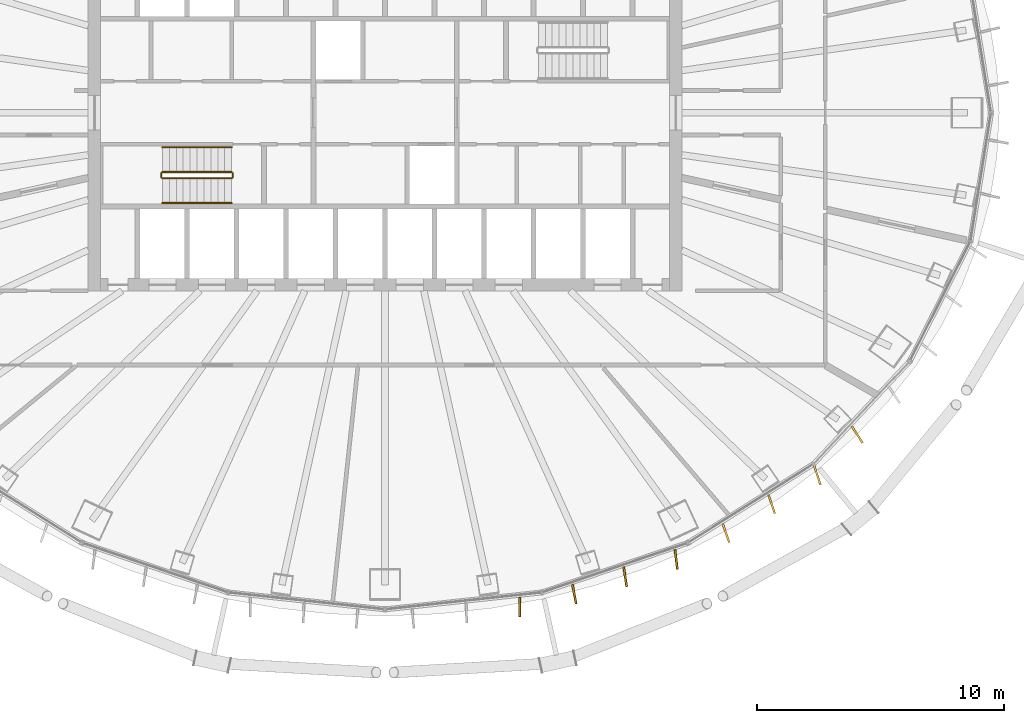
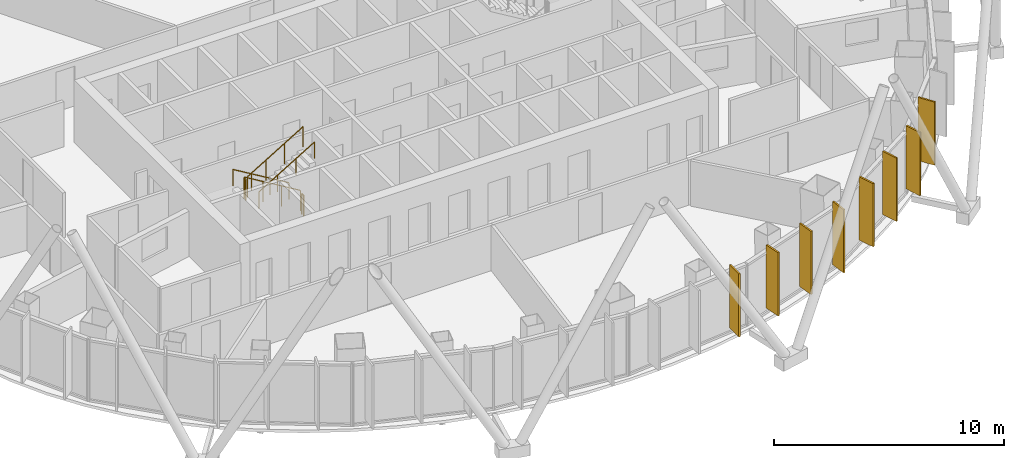
# One storey, part 16 of 18: 8 shading devices, 6 railings.
"""IFC4 building model written with IfcOpenShell, lengths in metres."""

from ifc_helpers import new_model, si_unit, direction, frame, origin, origin_2d, place, context, subcontext, project, spatial, rectangle, circle, extrude, material, layer, layer_set, type_object, element, save


model = new_model("IFC4")

# Units and contexts
model_context = context("Model", 3, precision=1e-05, world=origin(), true_north=direction((0.0, 1.0)))
body_context = subcontext(model_context, "Body", "Model", "MODEL_VIEW")
ifc_project = project(units=[si_unit("LENGTHUNIT", "METRE"), si_unit("AREAUNIT", "SQUARE_METRE"), si_unit("VOLUMEUNIT", "CUBIC_METRE"), si_unit("PLANEANGLEUNIT", "RADIAN"), si_unit("MASSUNIT", "GRAM", prefix="KILO")], contexts=[model_context])

# Site, building, storey
site_placement = place(None, origin())
site = spatial("IfcSite", under=ifc_project, at=site_placement, CompositionType="ELEMENT")
building_placement = place(site_placement, origin())
building = spatial("IfcBuilding", under=site, at=building_placement, Name="Siaravel Broadcast Tower", CompositionType="ELEMENT")
storey_placement = place(building_placement, frame((0.0, 0.0, 141.5)))
storey = spatial("IfcBuildingStorey", under=building, at=storey_placement, Name="L34", CompositionType="ELEMENT", Elevation=141.5)

# Shading devices
ifc_material_1 = material(Name="Bronze anodised aluminium", Category="aluminium")
ifc_layer = layer(ifc_material_1, 0.080078125)
ifc_layer_set = layer_set([ifc_layer], Name="Bronze anodised aluminium")
shading_device_type = type_object("IfcShadingDeviceType", Name="Bronze fin zone 2", PredefinedType="USERDEFINED", material=ifc_layer_set)
for number, where, z_axis, x_axis, name in (
    (1, (5.447509765625, -19.980712890625, 0.300048828125), (0.0, 0.0, 1.0), (0.001307251, -0.999999146, 0.0), "Bronze fin L34-51"),
    (2, (7.653076171875, -19.461181640625, 0.300048828125), (0.0, 0.0, 1.0), (0.182130842, -0.983274304, 0.0), "Bronze fin L34-52"),
    (3, (9.711181640625, -18.760498046875, 0.300048828125), (0.0, 0.0, 1.0), (0.148867461, -0.988857158, 0.0), "Bronze fin L34-53"),
    (4, (11.77197265625, -18.059326171875, 0.300048828125), (0.0, 0.0, 1.0), (0.121469168, -0.992595205, 0.0), "Bronze fin L34-54"),
    (5, (13.783935546875, -16.989990234375, 0.300048828125), (0.0, 0.0, 1.0), (0.328449608, -0.944521495, 0.0), "Bronze fin L34-55"),
    (6, (15.631103515625, -15.827880859375, 0.300048828125), (0.0, 0.0, 1.0), (0.315821266, -0.948818701, 0.0), "Bronze fin L34-56"),
    (7, (17.4814453125, -14.664306640625, 0.300048828125), (0.0, 0.0, 1.0), (0.311520719, -0.95023936, 0.0), "Bronze fin L34-57"),
    (8, (19.0908203125, -13.010986328125, 0.300048828125), (0.0, 0.0, 1.0), (0.546758274, -0.837290505, 0.0), "Bronze fin L34-58"),
):
    element("IfcShadingDevice", number, at=place(storey_placement, frame(where, z_axis=z_axis, x_axis=x_axis)), inside=storey, type_object=shading_device_type, Name=name, ObjectType="FIN", PredefinedType="USERDEFINED", context=body_context, shape_type="SweptSolid", body=[
        extrude(rectangle(XDim=0.800048828125, YDim=0.080078125, at=origin_2d()), origin(), (0.0, 0.0, 1.0), 3.35009765625),
    ])

# Railings
ifc_material_2 = material(Name="Stainless steel 316L", Category="steel")
railing_type_1 = type_object("IfcRailingType", Name="Stair guard 1100", PredefinedType="GUARDRAIL", material=ifc_material_2)
railing_1_placement = place(storey_placement, frame((-6.199951171875, -2.39990234375, 0.168212890625)))
element("IfcRailing", 9, at=railing_1_placement, inside=storey, type_object=railing_type_1, Name="L34 ST-1 stair guard 1", PredefinedType="GUARDRAIL", context=body_context, shape_type="SweptSolid", body=[
    extrude(circle(Radius=0.02392578125, at=origin_2d()), frame((0.0, 0.0, 1.076171875), z_axis=(-0.857242211, 0.0, 0.514913383), x_axis=(0.0, -1.0, 0.0)), (0.0, 0.0, 1.0), 3.266357421875),
    extrude(circle(Radius=0.02099609375, at=origin_2d()), origin(), (0.0, 0.0, 1.0), 1.052001953125),
    extrude(circle(Radius=0.02099609375, at=origin_2d()), frame((-0.933349609375, 0.0, 0.560546875)), (0.0, 0.0, 1.0), 1.052001953125),
    extrude(circle(Radius=0.02099609375, at=origin_2d()), frame((-1.86669921875, 0.0, 1.121337890625)), (0.0, 0.0, 1.0), 1.052001953125),
    extrude(circle(Radius=0.02099609375, at=origin_2d()), frame((-2.800048828125, 0.0, 1.681884765625)), (0.0, 0.0, 1.0), 1.052001953125),
])
railing_2_placement = place(storey_placement, frame((-9.050048828125, -2.449951171875, 1.85009765625)))
element("IfcRailing", 10, at=railing_2_placement, inside=storey, type_object=railing_type_1, Name="L34 ST-1 stair guard 2", PredefinedType="GUARDRAIL", context=body_context, shape_type="SweptSolid", body=[
    extrude(circle(Radius=0.02392578125, at=origin_2d()), frame((0.0, 0.0, 1.076171875), z_axis=(0.0, -1.0, 0.0), x_axis=(1.0, 0.0, 0.0)), (0.0, 0.0, 1.0), 0.150146484375),
    extrude(circle(Radius=0.02099609375, at=origin_2d()), origin(), (0.0, 0.0, 1.0), 1.052001953125),
    extrude(circle(Radius=0.02099609375, at=origin_2d()), frame((0.0, -0.150146484375, 0.0)), (0.0, 0.0, 1.0), 1.052001953125),
])
railing_3_placement = place(storey_placement, frame((-9.0, -2.64990234375, 2.01806640625)))
element("IfcRailing", 11, at=railing_3_placement, inside=storey, type_object=railing_type_1, Name="L34 ST-1 stair guard 3", PredefinedType="GUARDRAIL", context=body_context, shape_type="SweptSolid", body=[
    extrude(circle(Radius=0.02392578125, at=origin_2d()), frame((0.0, 0.0, 1.076171875), z_axis=(0.857242211, 0.0, 0.514913383), x_axis=(0.0, 1.0, 0.0)), (0.0, 0.0, 1.0), 3.266357421875),
    extrude(circle(Radius=0.02099609375, at=origin_2d()), origin(), (0.0, 0.0, 1.0), 1.052001953125),
    extrude(circle(Radius=0.02099609375, at=origin_2d()), frame((0.933349609375, 0.0, 0.560546875)), (0.0, 0.0, 1.0), 1.052001953125),
    extrude(circle(Radius=0.02099609375, at=origin_2d()), frame((1.86669921875, 0.0, 1.121337890625)), (0.0, 0.0, 1.0), 1.052001953125),
    extrude(circle(Radius=0.02099609375, at=origin_2d()), frame((2.800048828125, 0.0, 1.681884765625)), (0.0, 0.0, 1.0), 1.052001953125),
])
railing_4_placement = place(storey_placement, frame((-6.14990234375, -2.449951171875, 0.0)))
element("IfcRailing", 12, at=railing_4_placement, inside=storey, type_object=railing_type_1, Name="L34 ST-1 stair guard 4", PredefinedType="GUARDRAIL", context=body_context, shape_type="SweptSolid", body=[
    extrude(circle(Radius=0.02392578125, at=origin_2d()), frame((0.0, 0.0, 1.076171875), z_axis=(0.0, -1.0, 0.0), x_axis=(1.0, 0.0, 0.0)), (0.0, 0.0, 1.0), 0.150146484375),
    extrude(circle(Radius=0.02099609375, at=origin_2d()), origin(), (0.0, 0.0, 1.0), 1.052001953125),
    extrude(circle(Radius=0.02099609375, at=origin_2d()), frame((0.0, -0.150146484375, 0.0)), (0.0, 0.0, 1.0), 1.052001953125),
])
railing_type_2 = type_object("IfcRailingType", Name="Stair handrail 900", PredefinedType="HANDRAIL", material=ifc_material_2)
railing_5_placement = place(storey_placement, frame((-6.199951171875, -1.39990234375, 0.168212890625)))
element("IfcRailing", 13, at=railing_5_placement, inside=storey, type_object=railing_type_2, Name="L34 ST-1 stair handrail 1", PredefinedType="HANDRAIL", context=body_context, shape_type="SweptSolid", body=[
    extrude(circle(Radius=0.02392578125, at=origin_2d()), frame((0.0, 0.0, 0.8759765625), z_axis=(-0.857242211, 0.0, 0.514913383), x_axis=(0.0, -1.0, 0.0)), (0.0, 0.0, 1.0), 3.266357421875),
    extrude(circle(Radius=0.02099609375, at=origin_2d()), origin(), (0.0, 0.0, 1.0), 0.851806640625),
    extrude(circle(Radius=0.02099609375, at=origin_2d()), frame((-0.933349609375, 0.0, 0.560546875)), (0.0, 0.0, 1.0), 0.851806640625),
    extrude(circle(Radius=0.02099609375, at=origin_2d()), frame((-1.86669921875, 0.0, 1.121337890625)), (0.0, 0.0, 1.0), 0.851806640625),
    extrude(circle(Radius=0.02099609375, at=origin_2d()), frame((-2.800048828125, 0.0, 1.681884765625)), (0.0, 0.0, 1.0), 0.851806640625),
])
railing_6_placement = place(storey_placement, frame((-9.0, -3.64990234375, 2.01806640625)))
element("IfcRailing", 14, at=railing_6_placement, inside=storey, type_object=railing_type_2, Name="L34 ST-1 stair handrail 2", PredefinedType="HANDRAIL", context=body_context, shape_type="SweptSolid", body=[
    extrude(circle(Radius=0.02392578125, at=origin_2d()), frame((0.0, 0.0, 0.8759765625), z_axis=(0.857242211, 0.0, 0.514913383), x_axis=(0.0, 1.0, 0.0)), (0.0, 0.0, 1.0), 3.266357421875),
    extrude(circle(Radius=0.02099609375, at=origin_2d()), origin(), (0.0, 0.0, 1.0), 0.851806640625),
    extrude(circle(Radius=0.02099609375, at=origin_2d()), frame((0.933349609375, 0.0, 0.560546875)), (0.0, 0.0, 1.0), 0.851806640625),
    extrude(circle(Radius=0.02099609375, at=origin_2d()), frame((1.86669921875, 0.0, 1.121337890625)), (0.0, 0.0, 1.0), 0.851806640625),
    extrude(circle(Radius=0.02099609375, at=origin_2d()), frame((2.800048828125, 0.0, 1.681884765625)), (0.0, 0.0, 1.0), 0.851806640625),
])

save(model, "model.ifc")
